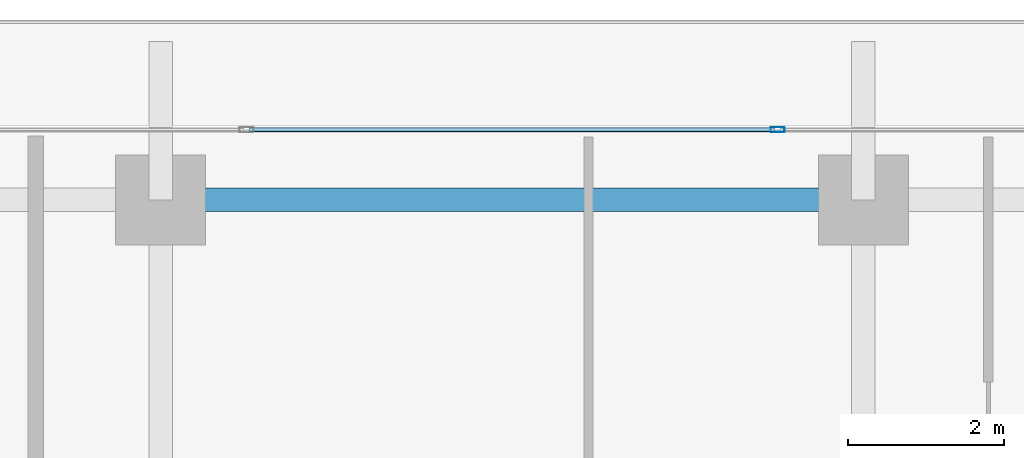
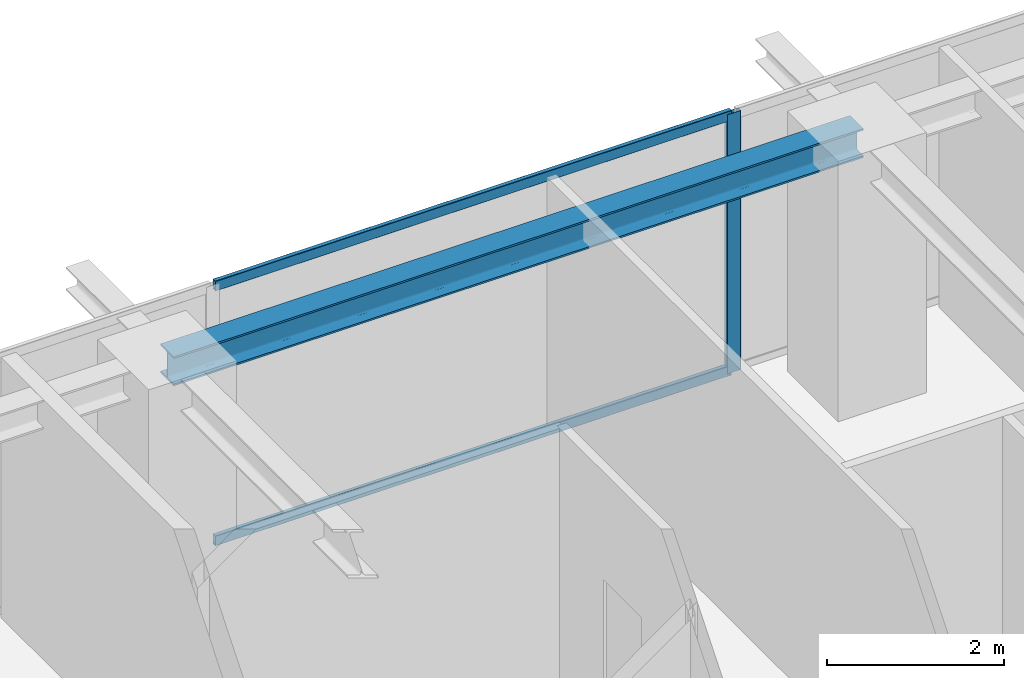
# One storey, part 19 of 38: 3 members, 1 beam, 1 element without a shape of its own.
"""IFC4 building model written with IfcOpenShell, lengths in metres."""

from ifc_helpers import new_model, si_unit, direction, frame, origin, origin_2d, place, context, subcontext, project, spatial, hollow_rectangle, i_section, extrude, source, transform, mapped, material, layer, layer_set, material_profile, profile_set, type_object, element, aggregate, save


model = new_model("IFC4")

# Units and contexts
model_context = context("Model", 3, precision=1e-05, world=origin(), true_north=direction((0.0, 1.0)))
body_context = subcontext(model_context, "Body", "Model", "MODEL_VIEW")
ifc_project = project(units=[si_unit("LENGTHUNIT", "METRE"), si_unit("AREAUNIT", "SQUARE_METRE"), si_unit("VOLUMEUNIT", "CUBIC_METRE"), si_unit("PLANEANGLEUNIT", "RADIAN"), si_unit("MASSUNIT", "GRAM", prefix="KILO")], contexts=[model_context])

# Site, building, storey
site_placement = place(None, origin())
site = spatial("IfcSite", under=ifc_project, at=site_placement, CompositionType="ELEMENT")
building_placement = place(site_placement, origin())
building = spatial("IfcBuilding", under=site, at=building_placement, Name="Serunith Strait Residences", CompositionType="ELEMENT")
storey_placement = place(building_placement, frame((0.0, 0.0, 241.25)))
storey = spatial("IfcBuildingStorey", under=building, at=storey_placement, Name="L60", CompositionType="ELEMENT", Elevation=241.25)

# Beam
ifc_material_1 = material(Name="Steel S355J2", Category="steel")
ifc_material_profile_1 = material_profile(ifc_material_1, i_section(OverallWidth=0.300048828125, OverallDepth=0.39990234375, WebThickness=0.013427734375, FlangeThickness=0.02392578125, FilletRadius=0.027099609375, at=origin_2d()), Name="HEB 400")
ifc_profile_set_1 = profile_set([ifc_material_profile_1], Name="Steel S355J2")
beam_type = type_object("IfcBeamType", Name="BM-HEB400", PredefinedType="BEAM", material=ifc_profile_set_1)
shared_shape_1 = source(origin(), body_context, "Body", "SweptSolid", [
    extrude(i_section(OverallWidth=0.300048828125, OverallDepth=0.39990234375, WebThickness=0.013427734375, FlangeThickness=0.02392578125, FilletRadius=0.027099609375, at=origin_2d()), origin(), (0.0, 0.0, 1.0), 9.0),
])
beam_placement = place(storey_placement, frame((36.89990234375, 48.300048828125, 3.386962890625), z_axis=(-1.0, 0.0, 0.0), x_axis=(0.0, -1.0, 0.0)))
element("IfcBeam", 1, at=beam_placement, inside=storey, type_object=beam_type, Name="L60 Perimeter Ring Beam 10", PredefinedType="BEAM", context=body_context, shape_type="MappedRepresentation", body=[
    mapped(shared_shape_1, transform((0.0, 0.0, 0.0), scale=1.0)),
])

# Curtain wall, members
ifc_material_2 = material(Name="Pale-Champagne Anodised Aluminium", Category="aluminium")
ifc_layer = layer(ifc_material_2, 0.199951171875, Name="Pale-Champagne Anodised Aluminium")
ifc_layer_set = layer_set([ifc_layer], Name="Pale-Champagne Anodised Aluminium")
curtain_wall_type = type_object("IfcCurtainWallType", Name="CW-SYS4", PredefinedType="NOTDEFINED", material=ifc_layer_set)
curtain_wall_placement = place(storey_placement, origin())
curtain_wall = element("IfcCurtainWall", 2, at=curtain_wall_placement, inside=storey, type_object=curtain_wall_type, Name="L60 N Unitised Fritted Curtain Wall", PredefinedType="NOTDEFINED")
ifc_material_profile_2 = material_profile(ifc_material_2, hollow_rectangle(XDim=0.06494140625, YDim=0.179931640625, WallThickness=0.00341796875, InnerFilletRadius=0.00537109375, OuterFilletRadius=0.0087890625, at=origin_2d()), Name="ALU 180x65x3.5")
ifc_profile_set_2 = profile_set([ifc_material_profile_2], Name="Pale-Champagne Anodised Aluminium")
member_type_1 = type_object("IfcMemberType", Name="CW-SYS4-MULL", PredefinedType="MULLION", material=ifc_profile_set_2)
shared_shape_2 = source(origin(), body_context, "Body", "SweptSolid", [
    extrude(hollow_rectangle(XDim=0.06494140625, YDim=0.179931640625, WallThickness=0.00341796875, InnerFilletRadius=0.00537109375, OuterFilletRadius=0.0087890625, at=origin_2d()), origin(), (0.0, 0.0, 1.0), 3.574951171875),
])
member_1_placement = place(storey_placement, frame((35.800048828125, 49.199951171875, 0.0), z_axis=(0.0, 0.0, 1.0), x_axis=(0.0, -1.0, 0.0)))
member_1 = element("IfcMember", 3, at=member_1_placement, type_object=member_type_1, Name="CW-4 mullion 3", PredefinedType="MULLION", context=body_context, shape_type="MappedRepresentation", body=[
    mapped(shared_shape_2, transform((0.0, 0.0, 0.0), scale=1.0)),
])
ifc_material_profile_3 = material_profile(ifc_material_2, hollow_rectangle(XDim=0.06005859375, YDim=0.139892578125, WallThickness=0.00341796875, InnerFilletRadius=0.00537109375, OuterFilletRadius=0.0087890625, at=origin_2d()), Name="ALU 140x60x3.5")
ifc_profile_set_3 = profile_set([ifc_material_profile_3], Name="Pale-Champagne Anodised Aluminium")
member_type_2 = type_object("IfcMemberType", Name="CW-SYS4-TRAN", PredefinedType="USERDEFINED", material=ifc_profile_set_3)
shared_shape_3 = source(origin(), body_context, "Body", "SweptSolid", [
    extrude(hollow_rectangle(XDim=0.06005859375, YDim=0.139892578125, WallThickness=0.00341796875, InnerFilletRadius=0.00537109375, OuterFilletRadius=0.0087890625, at=origin_2d()), origin(), (0.0, 0.0, 1.0), 6.735107421875),
])
member_2_placement = place(storey_placement, frame((35.767578125, 49.199951171875, 0.030029296875), z_axis=(-1.0, 0.0, 0.0), x_axis=(0.0, -1.0, 0.0)))
member_2 = element("IfcMember", 4, at=member_2_placement, type_object=member_type_2, Name="CW-4 transom 3.1", ObjectType="TRANSOM", PredefinedType="USERDEFINED", context=body_context, shape_type="MappedRepresentation", body=[
    mapped(shared_shape_3, transform((0.0, 0.0, 0.0), scale=1.0)),
])
member_3_placement = place(storey_placement, frame((35.767578125, 49.199951171875, 3.544921875), z_axis=(-1.0, 0.0, 0.0), x_axis=(0.0, -1.0, 0.0)))
member_3 = element("IfcMember", 5, at=member_3_placement, type_object=member_type_2, Name="CW-4 transom 3.2", ObjectType="TRANSOM", PredefinedType="USERDEFINED", context=body_context, shape_type="MappedRepresentation", body=[
    mapped(shared_shape_3, transform((0.0, 0.0, 0.0), scale=1.0)),
])
aggregate(curtain_wall, [member_1, member_2, member_3])

save(model, "model.ifc")
